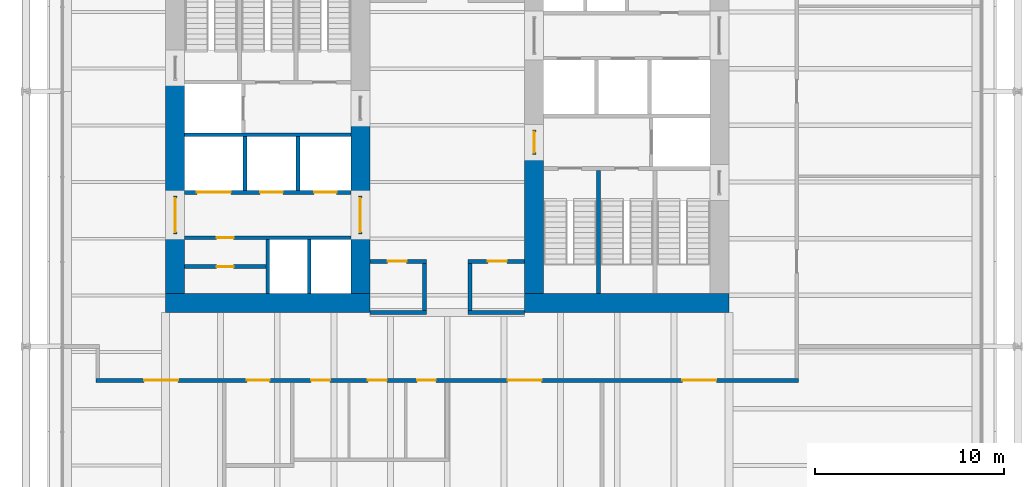
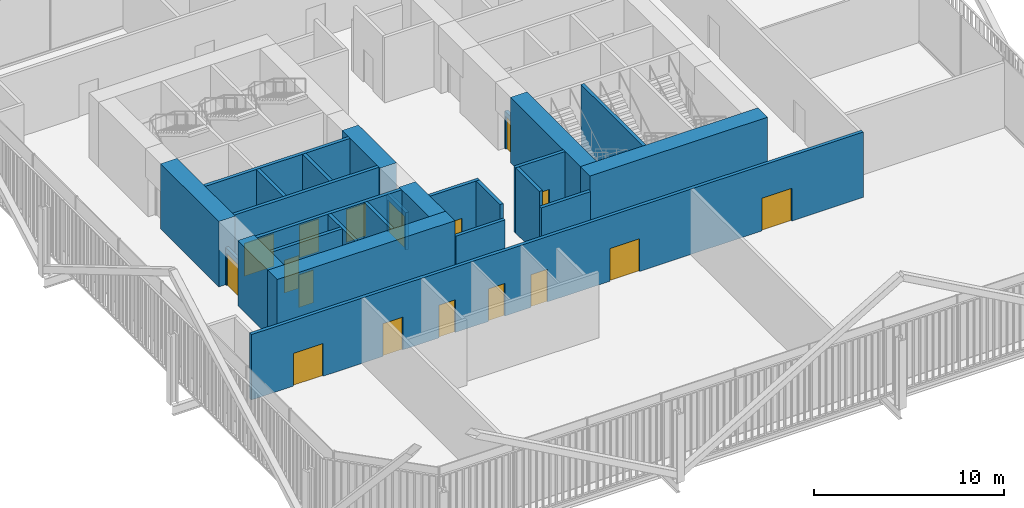
# One storey, part 17 of 21: 26 walls, 17 doors, 17 openings.
"""IFC4 building model written with IfcOpenShell, lengths in metres."""

from ifc_helpers import new_model, si_unit, direction, frame, frame_2d, origin, place, context, subcontext, project, spatial, rectangle, extrude, material, layer, layer_set, type_object, element, fill, save


model = new_model("IFC4")

# Units and contexts
model_context = context("Model", 3, precision=1e-05, world=origin(), true_north=direction((0.0, 1.0)))
body_context = subcontext(model_context, "Body", "Model", "MODEL_VIEW")
ifc_project = project(units=[si_unit("LENGTHUNIT", "METRE"), si_unit("AREAUNIT", "SQUARE_METRE"), si_unit("VOLUMEUNIT", "CUBIC_METRE"), si_unit("PLANEANGLEUNIT", "RADIAN"), si_unit("MASSUNIT", "GRAM", prefix="KILO")], contexts=[model_context])

# Site, building, storey
site_placement = place(None, origin())
site = spatial("IfcSite", under=ifc_project, at=site_placement, CompositionType="ELEMENT")
building_placement = place(site_placement, origin())
building = spatial("IfcBuilding", under=site, at=building_placement, Name="Millrace Tower", CompositionType="ELEMENT")
storey_placement = place(building_placement, frame((0.0, 0.0, 95.199951171875)))
storey = spatial("IfcBuildingStorey", under=building, at=storey_placement, Name="L21", CompositionType="ELEMENT", Elevation=95.199951171875)

# Walls
ifc_material_1 = material(Name="Concrete C80", Category="concrete")
ifc_layer_1 = layer(ifc_material_1, 1.0)
ifc_layer_set_1 = layer_set([ifc_layer_1], Name="Concrete C80")
wall_type_1 = type_object("IfcWallType", Name="Core wall 1000 Concrete C80", PredefinedType="SHEAR", material=ifc_layer_set_1)
wall_1_placement = place(storey_placement, frame((-14.89990234375, -9.39990234375, 0.0), z_axis=(0.0, 0.0, 1.0), x_axis=(1.0, 0.0, 0.0)))
element("IfcWall", 1, at=wall_1_placement, inside=storey, type_object=wall_type_1, Name="Core wall W L21", PredefinedType="SHEAR", context=body_context, shape_type="SweptSolid", body=[
    extrude(rectangle(XDim=10.7998046875, YDim=1.0, at=frame_2d((5.39990234375, 0.0))), origin(), (0.0, 0.0, 1.0), 4.199951171875),
])
wall_2_placement = place(storey_placement, frame((-14.39990234375, -8.89990234375, 0.0), z_axis=(0.0, 0.0, 1.0), x_axis=(0.0, 1.0, 0.0)))
element("IfcWall", 2, at=wall_2_placement, inside=storey, type_object=wall_type_1, Name="Core wall W L21", PredefinedType="SHEAR", context=body_context, shape_type="SweptSolid", body=[
    extrude(rectangle(XDim=3.14990234375, YDim=1.0, at=frame_2d((1.574951171875, 0.0))), origin(), (0.0, 0.0, 1.0), 4.199951171875),
])
wall_3_placement = place(storey_placement, frame((-14.39990234375, -3.75, 0.0), z_axis=(0.0, 0.0, 1.0), x_axis=(0.0, 1.0, 0.0)))
element("IfcWall", 3, at=wall_3_placement, inside=storey, type_object=wall_type_1, Name="Core wall W L21", PredefinedType="SHEAR", context=body_context, shape_type="SweptSolid", body=[
    extrude(rectangle(XDim=6.1298828125, YDim=1.0, at=frame_2d((3.06494140625, 0.0))), origin(), (0.0, 0.0, 1.0), 4.199951171875),
])
wall_4_placement = place(storey_placement, frame((-4.60009765625, -8.89990234375, 0.0), z_axis=(0.0, 0.0, 1.0), x_axis=(0.0, 1.0, 0.0)))
element("IfcWall", 4, at=wall_4_placement, inside=storey, type_object=wall_type_1, Name="Core wall W L21", PredefinedType="SHEAR", context=body_context, shape_type="SweptSolid", body=[
    extrude(rectangle(XDim=3.14990234375, YDim=1.0, at=frame_2d((1.574951171875, 0.0))), origin(), (0.0, 0.0, 1.0), 4.199951171875),
])
wall_5_placement = place(storey_placement, frame((-4.60009765625, -3.75, 0.0), z_axis=(0.0, 0.0, 1.0), x_axis=(0.0, 1.0, 0.0)))
element("IfcWall", 5, at=wall_5_placement, inside=storey, type_object=wall_type_1, Name="Core wall W L21", PredefinedType="SHEAR", context=body_context, shape_type="SweptSolid", body=[
    extrude(rectangle(XDim=4.0, YDim=1.0, at=frame_2d((2.0, 0.0))), origin(), (0.0, 0.0, 1.0), 4.199951171875),
])
wall_6_placement = place(storey_placement, frame((14.89990234375, -9.39990234375, 0.0), z_axis=(0.0, 0.0, 1.0), x_axis=(-1.0, 0.0, 0.0)))
element("IfcWall", 6, at=wall_6_placement, inside=storey, type_object=wall_type_1, Name="Core wall E L21", PredefinedType="SHEAR", context=body_context, shape_type="SweptSolid", body=[
    extrude(rectangle(XDim=10.7998046875, YDim=1.0, at=frame_2d((5.39990234375, 0.0))), origin(), (0.0, 0.0, 1.0), 4.199951171875),
])
wall_7_placement = place(storey_placement, frame((4.60009765625, -1.550048828125, 0.0), z_axis=(0.0, 0.0, 1.0), x_axis=(0.0, -1.0, 0.0)))
element("IfcWall", 7, at=wall_7_placement, inside=storey, type_object=wall_type_1, Name="Core wall E L21", PredefinedType="SHEAR", context=body_context, shape_type="SweptSolid", body=[
    extrude(rectangle(XDim=7.349853515625, YDim=1.0, at=frame_2d((3.6748046875, 0.0))), origin(), (0.0, 0.0, 1.0), 4.199951171875),
])

# Wall, openings, doors
ifc_material_2 = material(Name="Masonry partition, fire-rated", Category="masonry")
ifc_layer_2 = layer(ifc_material_2, 0.199951171875)
ifc_layer_set_2 = layer_set([ifc_layer_2], Name="Masonry partition, fire-rated")
wall_type_2 = type_object("IfcWallType", Name="Corridor wall 200", PredefinedType="PARTITIONING", material=ifc_layer_set_2)
wall_8_placement = place(storey_placement, frame((-18.60009765625, -13.5, 0.0), z_axis=(0.0, 0.0, 1.0), x_axis=(1.0, 0.0, 0.0)))
wall_8 = element("IfcWall", 8, at=wall_8_placement, inside=storey, type_object=wall_type_2, Name="Corridor wall L21", PredefinedType="PARTITIONING", context=body_context, shape_type="SweptSolid", body=[
    extrude(rectangle(XDim=37.2001953125, YDim=0.199951171875, at=frame_2d((18.60009765625, 0.0))), origin(), (0.0, 0.0, 1.0), 4.199951171875),
])
opening_1_placement = place(wall_8_placement, frame((2.550048828125, 0.0, 0.0)))
opening_1 = element("IfcOpeningElement", 9, at=opening_1_placement, cuts=wall_8, Name="Opening 21-P005", PredefinedType="OPENING", context=body_context, shape_type="SweptSolid", body=[
    extrude(rectangle(XDim=1.800048828125, YDim=2.10009765625, at=frame_2d((0.89990234375, 1.050048828125))), frame((0.0, 0.10986328125, 0.0), z_axis=(0.0, -1.0, 0.0), x_axis=(1.0, 0.0, 0.0)), (0.0, 0.0, 1.0), 0.219970703125),
])
opening_2_placement = place(wall_8_placement, frame((21.794921875, 0.0, 0.0)))
opening_2 = element("IfcOpeningElement", 10, at=opening_2_placement, cuts=wall_8, Name="Opening 21-P006", PredefinedType="OPENING", context=body_context, shape_type="SweptSolid", body=[
    extrude(rectangle(XDim=1.800048828125, YDim=2.10009765625, at=frame_2d((0.89990234375, 1.050048828125))), frame((0.0, 0.10986328125, 0.0), z_axis=(0.0, -1.0, 0.0), x_axis=(1.0, 0.0, 0.0)), (0.0, 0.0, 1.0), 0.219970703125),
])
opening_3_placement = place(wall_8_placement, frame((31.044921875, 0.0, 0.0)))
opening_3 = element("IfcOpeningElement", 11, at=opening_3_placement, cuts=wall_8, Name="Opening 21-P007", PredefinedType="OPENING", context=body_context, shape_type="SweptSolid", body=[
    extrude(rectangle(XDim=1.800048828125, YDim=2.10009765625, at=frame_2d((0.89990234375, 1.050048828125))), frame((0.0, 0.10986328125, 0.0), z_axis=(0.0, -1.0, 0.0), x_axis=(1.0, 0.0, 0.0)), (0.0, 0.0, 1.0), 0.219970703125),
])
opening_4_placement = place(wall_8_placement, frame((8.0, 0.0, 0.0)))
opening_4 = element("IfcOpeningElement", 12, at=opening_4_placement, cuts=wall_8, Name="Opening 21-P008", PredefinedType="OPENING", context=body_context, shape_type="SweptSolid", body=[
    extrude(rectangle(XDim=1.199951171875, YDim=2.10009765625, at=frame_2d((0.60009765625, 1.050048828125))), frame((0.0, 0.10986328125, 0.0), z_axis=(0.0, -1.0, 0.0), x_axis=(1.0, 0.0, 0.0)), (0.0, 0.0, 1.0), 0.219970703125),
])
opening_5_placement = place(wall_8_placement, frame((11.39990234375, 0.0, 0.0)))
opening_5 = element("IfcOpeningElement", 13, at=opening_5_placement, cuts=wall_8, Name="Opening 21-P016", PredefinedType="OPENING", context=body_context, shape_type="SweptSolid", body=[
    extrude(rectangle(XDim=1.0, YDim=2.10009765625, at=frame_2d((0.5, 1.050048828125))), frame((0.0, 0.10986328125, 0.0), z_axis=(0.0, -1.0, 0.0), x_axis=(1.0, 0.0, 0.0)), (0.0, 0.0, 1.0), 0.219970703125),
])
opening_6_placement = place(wall_8_placement, frame((14.39990234375, 0.0, 0.0)))
opening_6 = element("IfcOpeningElement", 14, at=opening_6_placement, cuts=wall_8, Name="Opening 21-P017", PredefinedType="OPENING", context=body_context, shape_type="SweptSolid", body=[
    extrude(rectangle(XDim=1.0, YDim=2.10009765625, at=frame_2d((0.5, 1.050048828125))), frame((0.0, 0.10986328125, 0.0), z_axis=(0.0, -1.0, 0.0), x_axis=(1.0, 0.0, 0.0)), (0.0, 0.0, 1.0), 0.219970703125),
])
opening_7_placement = place(wall_8_placement, frame((17.0, 0.0, 0.0)))
opening_7 = element("IfcOpeningElement", 15, at=opening_7_placement, cuts=wall_8, Name="Opening 21-P018", PredefinedType="OPENING", context=body_context, shape_type="SweptSolid", body=[
    extrude(rectangle(XDim=1.0, YDim=2.10009765625, at=frame_2d((0.5, 1.050048828125))), frame((0.0, 0.10986328125, 0.0), z_axis=(0.0, -1.0, 0.0), x_axis=(1.0, 0.0, 0.0)), (0.0, 0.0, 1.0), 0.219970703125),
])
ifc_material_3 = material(Name="Steel door set, fire-rated", Category="steel")
door_type_1 = type_object("IfcDoorType", Name="Corridor door 1000 x 2100", OperationType="SINGLE_SWING_LEFT", PredefinedType="DOOR", material=ifc_material_3)
door_1_placement = place(opening_5_placement, frame((1.0, 0.0, 0.0), z_axis=(0.0, 0.0, 1.0), x_axis=(-1.0, 0.0, 0.0)))
door_1 = element("IfcDoor", 16, at=door_1_placement, inside=storey, type_object=door_type_1, Name="Door 21-P016", OperationType="SINGLE_SWING_RIGHT", OverallHeight=2.10009765625, OverallWidth=1.0, PredefinedType="DOOR", context=body_context, shape_type="SweptSolid", body=[
    extrude(rectangle(XDim=1.0, YDim=2.10009765625, at=frame_2d((0.5, 1.050048828125))), frame((0.0, 0.02490234375, 0.0), z_axis=(0.0, -1.0, 0.0), x_axis=(1.0, 0.0, 0.0)), (0.0, 0.0, 1.0), 0.050048828125),
])
fill(opening_5, door_1)
door_2_placement = place(opening_6_placement, frame((1.0, 0.0, 0.0), z_axis=(0.0, 0.0, 1.0), x_axis=(-1.0, 0.0, 0.0)))
door_2 = element("IfcDoor", 17, at=door_2_placement, inside=storey, type_object=door_type_1, Name="Door 21-P017", OperationType="SINGLE_SWING_RIGHT", OverallHeight=2.10009765625, OverallWidth=1.0, PredefinedType="DOOR", context=body_context, shape_type="SweptSolid", body=[
    extrude(rectangle(XDim=1.0, YDim=2.10009765625, at=frame_2d((0.5, 1.050048828125))), frame((0.0, 0.02490234375, 0.0), z_axis=(0.0, -1.0, 0.0), x_axis=(1.0, 0.0, 0.0)), (0.0, 0.0, 1.0), 0.050048828125),
])
fill(opening_6, door_2)
door_3_placement = place(opening_7_placement, frame((1.0, 0.0, 0.0), z_axis=(0.0, 0.0, 1.0), x_axis=(-1.0, 0.0, 0.0)))
door_3 = element("IfcDoor", 18, at=door_3_placement, inside=storey, type_object=door_type_1, Name="Door 21-P018", OperationType="SINGLE_SWING_RIGHT", OverallHeight=2.10009765625, OverallWidth=1.0, PredefinedType="DOOR", context=body_context, shape_type="SweptSolid", body=[
    extrude(rectangle(XDim=1.0, YDim=2.10009765625, at=frame_2d((0.5, 1.050048828125))), frame((0.0, 0.02490234375, 0.0), z_axis=(0.0, -1.0, 0.0), x_axis=(1.0, 0.0, 0.0)), (0.0, 0.0, 1.0), 0.050048828125),
])
fill(opening_7, door_3)
ifc_material_4 = material(Name="Steel door set, fire-rated", Category="steel")
door_type_2 = type_object("IfcDoorType", Name="Data hall door 1200 x 2100", OperationType="SINGLE_SWING_LEFT", PredefinedType="DOOR", material=ifc_material_4)
door_4_placement = place(opening_4_placement, frame((1.199951171875, 0.0, 0.0), z_axis=(0.0, 0.0, 1.0), x_axis=(-1.0, 0.0, 0.0)))
door_4 = element("IfcDoor", 19, at=door_4_placement, inside=storey, type_object=door_type_2, Name="Door 21-P008", OperationType="SINGLE_SWING_RIGHT", OverallHeight=2.10009765625, OverallWidth=1.199951171875, PredefinedType="DOOR", context=body_context, shape_type="SweptSolid", body=[
    extrude(rectangle(XDim=1.199951171875, YDim=2.10009765625, at=frame_2d((0.60009765625, 1.050048828125))), frame((0.0, 0.02490234375, 0.0), z_axis=(0.0, -1.0, 0.0), x_axis=(1.0, 0.0, 0.0)), (0.0, 0.0, 1.0), 0.050048828125),
])
fill(opening_4, door_4)
ifc_material_5 = material(Name="Steel door set, fire-rated", Category="steel")
door_type_3 = type_object("IfcDoorType", Name="Data hall door 1800 x 2100", OperationType="DOUBLE_DOOR_SINGLE_SWING", PredefinedType="DOOR", material=ifc_material_5)
door_5_placement = place(opening_1_placement, frame((1.800048828125, 0.0, 0.0), z_axis=(0.0, 0.0, 1.0), x_axis=(-1.0, 0.0, 0.0)))
door_5 = element("IfcDoor", 20, at=door_5_placement, inside=storey, type_object=door_type_3, Name="Door 21-P005", OperationType="DOUBLE_DOOR_SINGLE_SWING", OverallHeight=2.10009765625, OverallWidth=1.800048828125, PredefinedType="DOOR", context=body_context, shape_type="SweptSolid", body=[
    extrude(rectangle(XDim=1.800048828125, YDim=2.10009765625, at=frame_2d((0.89990234375, 1.050048828125))), frame((0.0, 0.02490234375, 0.0), z_axis=(0.0, -1.0, 0.0), x_axis=(1.0, 0.0, 0.0)), (0.0, 0.0, 1.0), 0.050048828125),
])
fill(opening_1, door_5)
door_6_placement = place(opening_2_placement, frame((1.800048828125, 0.0, 0.0), z_axis=(0.0, 0.0, 1.0), x_axis=(-1.0, 0.0, 0.0)))
door_6 = element("IfcDoor", 21, at=door_6_placement, inside=storey, type_object=door_type_3, Name="Door 21-P006", OperationType="DOUBLE_DOOR_SINGLE_SWING", OverallHeight=2.10009765625, OverallWidth=1.800048828125, PredefinedType="DOOR", context=body_context, shape_type="SweptSolid", body=[
    extrude(rectangle(XDim=1.800048828125, YDim=2.10009765625, at=frame_2d((0.89990234375, 1.050048828125))), frame((0.0, 0.02490234375, 0.0), z_axis=(0.0, -1.0, 0.0), x_axis=(1.0, 0.0, 0.0)), (0.0, 0.0, 1.0), 0.050048828125),
])
fill(opening_2, door_6)
door_7_placement = place(opening_3_placement, frame((1.800048828125, 0.0, 0.0), z_axis=(0.0, 0.0, 1.0), x_axis=(-1.0, 0.0, 0.0)))
door_7 = element("IfcDoor", 22, at=door_7_placement, inside=storey, type_object=door_type_3, Name="Door 21-P007", OperationType="DOUBLE_DOOR_SINGLE_SWING", OverallHeight=2.10009765625, OverallWidth=1.800048828125, PredefinedType="DOOR", context=body_context, shape_type="SweptSolid", body=[
    extrude(rectangle(XDim=1.800048828125, YDim=2.10009765625, at=frame_2d((0.89990234375, 1.050048828125))), frame((0.0, 0.02490234375, 0.0), z_axis=(0.0, -1.0, 0.0), x_axis=(1.0, 0.0, 0.0)), (0.0, 0.0, 1.0), 0.050048828125),
])
fill(opening_3, door_7)

# Walls
for number, where, z_axis, x_axis, name in (
    (23, (-4.10009765625, -9.89990234375, 0.0), (0.0, 0.0, 1.0), (1.0, 0.0, 0.0), "Corridor wall L21"),
    (24, (1.10009765625, -9.89990234375, 0.0), (0.0, 0.0, 1.0), (1.0, 0.0, 0.0), "Corridor wall L21"),
):
    element("IfcWall", number, at=place(storey_placement, frame(where, z_axis=z_axis, x_axis=x_axis)), inside=storey, type_object=wall_type_2, Name=name, PredefinedType="PARTITIONING", context=body_context, shape_type="SweptSolid", body=[
        extrude(rectangle(XDim=3.0, YDim=0.199951171875, at=frame_2d((1.5, 0.0))), origin(), (0.0, 0.0, 1.0), 3.2626953125),
    ])

# Wall, opening, door
wall_9_placement = place(storey_placement, frame((-4.10009765625, -7.199951171875, 0.0), z_axis=(0.0, 0.0, 1.0), x_axis=(1.0, 0.0, 0.0)))
wall_9 = element("IfcWall", 25, at=wall_9_placement, inside=storey, type_object=wall_type_2, Name="Corridor wall L21", PredefinedType="PARTITIONING", context=body_context, shape_type="SweptSolid", body=[
    extrude(rectangle(XDim=3.0, YDim=0.199951171875, at=frame_2d((1.5, 0.0))), origin(), (0.0, 0.0, 1.0), 4.199951171875),
])
opening_8_placement = place(wall_9_placement, frame((0.949951171875, 0.0, 0.0)))
opening_8 = element("IfcOpeningElement", 26, at=opening_8_placement, cuts=wall_9, Name="Opening 21-P003", PredefinedType="OPENING", context=body_context, shape_type="SweptSolid", body=[
    extrude(rectangle(XDim=1.0, YDim=2.10009765625, at=frame_2d((0.5, 1.050048828125))), frame((0.0, 0.10986328125, 0.0), z_axis=(0.0, -1.0, 0.0), x_axis=(1.0, 0.0, 0.0)), (0.0, 0.0, 1.0), 0.219970703125),
])
door_8_placement = place(opening_8_placement, frame((1.0, 0.0, 0.0), z_axis=(0.0, 0.0, 1.0), x_axis=(-1.0, 0.0, 0.0)))
door_8 = element("IfcDoor", 27, at=door_8_placement, inside=storey, type_object=door_type_1, Name="Door 21-P003", OperationType="SINGLE_SWING_RIGHT", OverallHeight=2.10009765625, OverallWidth=1.0, PredefinedType="DOOR", context=body_context, shape_type="SweptSolid", body=[
    extrude(rectangle(XDim=1.0, YDim=2.10009765625, at=frame_2d((0.5, 1.050048828125))), frame((0.0, 0.02490234375, 0.0), z_axis=(0.0, -1.0, 0.0), x_axis=(1.0, 0.0, 0.0)), (0.0, 0.0, 1.0), 0.050048828125),
])
fill(opening_8, door_8)

wall_10_placement = place(storey_placement, frame((1.10009765625, -7.199951171875, 0.0), z_axis=(0.0, 0.0, 1.0), x_axis=(1.0, 0.0, 0.0)))
wall_10 = element("IfcWall", 28, at=wall_10_placement, inside=storey, type_object=wall_type_2, Name="Corridor wall L21", PredefinedType="PARTITIONING", context=body_context, shape_type="SweptSolid", body=[
    extrude(rectangle(XDim=3.0, YDim=0.199951171875, at=frame_2d((1.5, 0.0))), origin(), (0.0, 0.0, 1.0), 4.199951171875),
])
opening_9_placement = place(wall_10_placement, frame((1.050048828125, 0.0, 0.0)))
opening_9 = element("IfcOpeningElement", 29, at=opening_9_placement, cuts=wall_10, Name="Opening 21-P004", PredefinedType="OPENING", context=body_context, shape_type="SweptSolid", body=[
    extrude(rectangle(XDim=1.0, YDim=2.10009765625, at=frame_2d((0.5, 1.050048828125))), frame((0.0, 0.10986328125, 0.0), z_axis=(0.0, -1.0, 0.0), x_axis=(1.0, 0.0, 0.0)), (0.0, 0.0, 1.0), 0.219970703125),
])
door_9_placement = place(opening_9_placement, frame((1.0, 0.0, 0.0), z_axis=(0.0, 0.0, 1.0), x_axis=(-1.0, 0.0, 0.0)))
door_9 = element("IfcDoor", 30, at=door_9_placement, inside=storey, type_object=door_type_1, Name="Door 21-P004", OperationType="SINGLE_SWING_RIGHT", OverallHeight=2.10009765625, OverallWidth=1.0, PredefinedType="DOOR", context=body_context, shape_type="SweptSolid", body=[
    extrude(rectangle(XDim=1.0, YDim=2.10009765625, at=frame_2d((0.5, 1.050048828125))), frame((0.0, 0.02490234375, 0.0), z_axis=(0.0, -1.0, 0.0), x_axis=(1.0, 0.0, 0.0)), (0.0, 0.0, 1.0), 0.050048828125),
])
fill(opening_9, door_9)

# Walls
for number, where, z_axis, x_axis, name in (
    (31, (1.199951171875, -9.800048828125, 0.0), (0.0, 0.0, 1.0), (0.0, 1.0, 0.0), "Corridor wall L21"),
    (32, (-1.199951171875, -9.800048828125, 0.0), (0.0, 0.0, 1.0), (0.0, 1.0, 0.0), "Corridor wall L21"),
):
    element("IfcWall", number, at=place(storey_placement, frame(where, z_axis=z_axis, x_axis=x_axis)), inside=storey, type_object=wall_type_2, Name=name, PredefinedType="PARTITIONING", context=body_context, shape_type="SweptSolid", body=[
        extrude(rectangle(XDim=2.5, YDim=0.199951171875, at=frame_2d((1.25, 0.0))), origin(), (0.0, 0.0, 1.0), 4.199951171875),
    ])

# Wall, opening, door
ifc_material_6 = material(Name="Masonry partition, fire-rated", Category="masonry")
ifc_layer_3 = layer(ifc_material_6, 0.199951171875)
ifc_layer_set_3 = layer_set([ifc_layer_3], Name="Masonry partition, fire-rated")
wall_type_3 = type_object("IfcWallType", Name="Lift shaft wall 200", PredefinedType="PARTITIONING", material=ifc_layer_set_3)
wall_11_placement = place(storey_placement, frame((-13.89990234375, -5.949951171875, 0.0), z_axis=(0.0, 0.0, 1.0), x_axis=(1.0, 0.0, 0.0)))
wall_11 = element("IfcWall", 33, at=wall_11_placement, inside=storey, type_object=wall_type_3, Name="Lift shaft wall W L21", PredefinedType="PARTITIONING", context=body_context, shape_type="SweptSolid", body=[
    extrude(rectangle(XDim=8.7998046875, YDim=0.199951171875, at=frame_2d((4.39990234375, 0.0))), origin(), (0.0, 0.0, 1.0), 4.199951171875),
])
opening_10_placement = place(wall_11_placement, frame((1.699951171875, 0.0, 0.0)))
opening_10 = element("IfcOpeningElement", 34, at=opening_10_placement, cuts=wall_11, Name="Opening 21-C005", PredefinedType="OPENING", context=body_context, shape_type="SweptSolid", body=[
    extrude(rectangle(XDim=0.89990234375, YDim=2.10009765625, at=frame_2d((0.449951171875, 1.050048828125))), frame((0.0, 0.10986328125, 0.0), z_axis=(0.0, -1.0, 0.0), x_axis=(1.0, 0.0, 0.0)), (0.0, 0.0, 1.0), 0.219970703125),
])
ifc_material_7 = material(Name="Steel door, fire-rated", Category="steel")
door_type_4 = type_object("IfcDoorType", Name="Service room door 900 x 2100", OperationType="SINGLE_SWING_LEFT", PredefinedType="DOOR", material=ifc_material_7)
door_10_placement = place(opening_10_placement, origin())
door_10 = element("IfcDoor", 35, at=door_10_placement, inside=storey, type_object=door_type_4, Name="Service room door 21-C005", OperationType="SINGLE_SWING_LEFT", OverallHeight=2.10009765625, OverallWidth=0.89990234375, PredefinedType="DOOR", context=body_context, shape_type="SweptSolid", body=[
    extrude(rectangle(XDim=0.89990234375, YDim=2.10009765625, at=frame_2d((0.449951171875, 1.050048828125))), frame((0.0, 0.02490234375, 0.0), z_axis=(0.0, -1.0, 0.0), x_axis=(1.0, 0.0, 0.0)), (0.0, 0.0, 1.0), 0.050048828125),
])
fill(opening_10, door_10)

# Wall, openings, doors
wall_12_placement = place(storey_placement, frame((-13.89990234375, -3.550048828125, 0.0), z_axis=(0.0, 0.0, 1.0), x_axis=(1.0, 0.0, 0.0)))
wall_12 = element("IfcWall", 36, at=wall_12_placement, inside=storey, type_object=wall_type_3, Name="Lift shaft wall W L21", PredefinedType="PARTITIONING", context=body_context, shape_type="SweptSolid", body=[
    extrude(rectangle(XDim=8.7998046875, YDim=0.199951171875, at=frame_2d((4.39990234375, 0.0))), origin(), (0.0, 0.0, 1.0), 4.199951171875),
])
opening_11_placement = place(wall_12_placement, frame((0.64990234375, 0.0, 0.0)))
opening_11 = element("IfcOpeningElement", 37, at=opening_11_placement, cuts=wall_12, Name="Opening 21-LD05", PredefinedType="OPENING", context=body_context, shape_type="SweptSolid", body=[
    extrude(rectangle(XDim=1.800048828125, YDim=2.10009765625, at=frame_2d((0.89990234375, 1.050048828125))), frame((0.0, 0.10986328125, 0.0), z_axis=(0.0, -1.0, 0.0), x_axis=(1.0, 0.0, 0.0)), (0.0, 0.0, 1.0), 0.219970703125),
])
opening_12_placement = place(wall_12_placement, frame((4.0, 0.0, 0.0)))
opening_12 = element("IfcOpeningElement", 38, at=opening_12_placement, cuts=wall_12, Name="Opening 21-LD06", PredefinedType="OPENING", context=body_context, shape_type="SweptSolid", body=[
    extrude(rectangle(XDim=1.199951171875, YDim=2.10009765625, at=frame_2d((0.60009765625, 1.050048828125))), frame((0.0, 0.10986328125, 0.0), z_axis=(0.0, -1.0, 0.0), x_axis=(1.0, 0.0, 0.0)), (0.0, 0.0, 1.0), 0.219970703125),
])
opening_13_placement = place(wall_12_placement, frame((6.85009765625, 0.0, 0.0)))
opening_13 = element("IfcOpeningElement", 39, at=opening_13_placement, cuts=wall_12, Name="Opening 21-LD07", PredefinedType="OPENING", context=body_context, shape_type="SweptSolid", body=[
    extrude(rectangle(XDim=1.199951171875, YDim=2.10009765625, at=frame_2d((0.60009765625, 1.050048828125))), frame((0.0, 0.10986328125, 0.0), z_axis=(0.0, -1.0, 0.0), x_axis=(1.0, 0.0, 0.0)), (0.0, 0.0, 1.0), 0.219970703125),
])
ifc_material_8 = material(Name="Stainless steel, fire-rated", Category="steel")
door_type_5 = type_object("IfcDoorType", Name="Lift landing door 1200 x 2100", OperationType="DOUBLE_DOOR_SLIDING", PredefinedType="DOOR", material=ifc_material_8)
door_11_placement = place(opening_12_placement, origin())
door_11 = element("IfcDoor", 40, at=door_11_placement, inside=storey, type_object=door_type_5, Name="Lift landing door LF6 L21", OperationType="DOUBLE_DOOR_SLIDING", OverallHeight=2.10009765625, OverallWidth=1.199951171875, PredefinedType="DOOR", context=body_context, shape_type="SweptSolid", body=[
    extrude(rectangle(XDim=1.199951171875, YDim=2.10009765625, at=frame_2d((0.60009765625, 1.050048828125))), frame((0.0, 0.02490234375, 0.0), z_axis=(0.0, -1.0, 0.0), x_axis=(1.0, 0.0, 0.0)), (0.0, 0.0, 1.0), 0.050048828125),
])
fill(opening_12, door_11)
door_12_placement = place(opening_13_placement, origin())
door_12 = element("IfcDoor", 41, at=door_12_placement, inside=storey, type_object=door_type_5, Name="Lift landing door LF7 L21", OperationType="DOUBLE_DOOR_SLIDING", OverallHeight=2.10009765625, OverallWidth=1.199951171875, PredefinedType="DOOR", context=body_context, shape_type="SweptSolid", body=[
    extrude(rectangle(XDim=1.199951171875, YDim=2.10009765625, at=frame_2d((0.60009765625, 1.050048828125))), frame((0.0, 0.02490234375, 0.0), z_axis=(0.0, -1.0, 0.0), x_axis=(1.0, 0.0, 0.0)), (0.0, 0.0, 1.0), 0.050048828125),
])
fill(opening_13, door_12)
ifc_material_9 = material(Name="Stainless steel, fire-rated", Category="steel")
door_type_6 = type_object("IfcDoorType", Name="Lift landing door 1800 x 2100", OperationType="DOUBLE_DOOR_SLIDING", PredefinedType="DOOR", material=ifc_material_9)
door_13_placement = place(opening_11_placement, origin())
door_13 = element("IfcDoor", 42, at=door_13_placement, inside=storey, type_object=door_type_6, Name="Lift landing door LF5 L21", OperationType="DOUBLE_DOOR_SLIDING", OverallHeight=2.10009765625, OverallWidth=1.800048828125, PredefinedType="DOOR", context=body_context, shape_type="SweptSolid", body=[
    extrude(rectangle(XDim=1.800048828125, YDim=2.10009765625, at=frame_2d((0.89990234375, 1.050048828125))), frame((0.0, 0.02490234375, 0.0), z_axis=(0.0, -1.0, 0.0), x_axis=(1.0, 0.0, 0.0)), (0.0, 0.0, 1.0), 0.050048828125),
])
fill(opening_11, door_13)

# Walls
wall_13_placement = place(storey_placement, frame((-13.89990234375, -0.5, 0.0), z_axis=(0.0, 0.0, 1.0), x_axis=(1.0, 0.0, 0.0)))
element("IfcWall", 43, at=wall_13_placement, inside=storey, type_object=wall_type_3, Name="Lift shaft wall W L21", PredefinedType="PARTITIONING", context=body_context, shape_type="SweptSolid", body=[
    extrude(rectangle(XDim=8.7998046875, YDim=0.199951171875, at=frame_2d((4.39990234375, 0.0))), origin(), (0.0, 0.0, 1.0), 4.199951171875),
])
for number, where, z_axis, x_axis, name in (
    (44, (-9.5, -8.89990234375, 0.0), (0.0, 0.0, 1.0), (0.0, 1.0, 0.0), "Lift shaft wall W L21"),
    (45, (-7.300048828125, -8.89990234375, 0.0), (0.0, 0.0, 1.0), (0.0, 1.0, 0.0), "Lift shaft wall W L21"),
    (46, (-10.699951171875, -3.449951171875, 0.0), (0.0, 0.0, 1.0), (0.0, 1.0, 0.0), "Lift shaft wall W L21"),
    (47, (-7.89990234375, -3.449951171875, 0.0), (0.0, 0.0, 1.0), (0.0, 1.0, 0.0), "Lift shaft wall W L21"),
):
    element("IfcWall", number, at=place(storey_placement, frame(where, z_axis=z_axis, x_axis=x_axis)), inside=storey, type_object=wall_type_3, Name=name, PredefinedType="PARTITIONING", context=body_context, shape_type="SweptSolid", body=[
        extrude(rectangle(XDim=2.849853515625, YDim=0.199951171875, at=frame_2d((1.4248046875, 0.0))), origin(), (0.0, 0.0, 1.0), 4.199951171875),
    ])

# Wall, opening, door
ifc_material_10 = material(Name="Masonry partition, fire-rated", Category="masonry")
ifc_layer_4 = layer(ifc_material_10, 0.199951171875)
ifc_layer_set_4 = layer_set([ifc_layer_4], Name="Masonry partition, fire-rated")
wall_type_4 = type_object("IfcWallType", Name="Lobby wall 200", PredefinedType="PARTITIONING", material=ifc_layer_set_4)
wall_14_placement = place(storey_placement, frame((-14.39990234375, -5.75, 0.0), z_axis=(0.0, 0.0, 1.0), x_axis=(0.0, 1.0, 0.0)))
wall_14 = element("IfcWall", 48, at=wall_14_placement, inside=storey, type_object=wall_type_4, Name="Lobby wall W L21", PredefinedType="PARTITIONING", context=body_context, shape_type="SweptSolid", body=[
    extrude(rectangle(XDim=2.0, YDim=0.199951171875, at=frame_2d((1.0, 0.0))), origin(), (0.0, 0.0, 1.0), 2.400146484375),
])
opening_14_placement = place(wall_14_placement, frame((0.10009765625, 0.0, 0.0)))
opening_14 = element("IfcOpeningElement", 49, at=opening_14_placement, cuts=wall_14, Name="Opening 21-C001", PredefinedType="OPENING", context=body_context, shape_type="SweptSolid", body=[
    extrude(rectangle(XDim=1.800048828125, YDim=2.10009765625, at=frame_2d((0.89990234375, 1.050048828125))), frame((0.0, 0.10986328125, 0.0), z_axis=(0.0, -1.0, 0.0), x_axis=(1.0, 0.0, 0.0)), (0.0, 0.0, 1.0), 0.219970703125),
])
ifc_material_11 = material(Name="Steel door, fire-rated", Category="steel")
door_type_7 = type_object("IfcDoorType", Name="Lobby door 1800 x 2100", OperationType="DOUBLE_DOOR_SINGLE_SWING", PredefinedType="DOOR", material=ifc_material_11)
door_14_placement = place(opening_14_placement, origin())
door_14 = element("IfcDoor", 50, at=door_14_placement, inside=storey, type_object=door_type_7, Name="Lobby door 21-C001", OperationType="DOUBLE_DOOR_SINGLE_SWING", OverallHeight=2.10009765625, OverallWidth=1.800048828125, PredefinedType="DOOR", context=body_context, shape_type="SweptSolid", body=[
    extrude(rectangle(XDim=1.800048828125, YDim=2.10009765625, at=frame_2d((0.89990234375, 1.050048828125))), frame((0.0, 0.02490234375, 0.0), z_axis=(0.0, -1.0, 0.0), x_axis=(1.0, 0.0, 0.0)), (0.0, 0.0, 1.0), 0.050048828125),
])
fill(opening_14, door_14)

wall_15_placement = place(storey_placement, frame((-4.60009765625, -5.75, 0.0), z_axis=(0.0, 0.0, 1.0), x_axis=(0.0, 1.0, 0.0)))
wall_15 = element("IfcWall", 51, at=wall_15_placement, inside=storey, type_object=wall_type_4, Name="Lobby wall W L21", PredefinedType="PARTITIONING", context=body_context, shape_type="SweptSolid", body=[
    extrude(rectangle(XDim=2.0, YDim=0.199951171875, at=frame_2d((1.0, 0.0))), origin(), (0.0, 0.0, 1.0), 2.400146484375),
])
opening_15_placement = place(wall_15_placement, frame((0.10009765625, 0.0, 0.0)))
opening_15 = element("IfcOpeningElement", 52, at=opening_15_placement, cuts=wall_15, Name="Opening 21-C003", PredefinedType="OPENING", context=body_context, shape_type="SweptSolid", body=[
    extrude(rectangle(XDim=1.800048828125, YDim=2.10009765625, at=frame_2d((0.89990234375, 1.050048828125))), frame((0.0, 0.10986328125, 0.0), z_axis=(0.0, -1.0, 0.0), x_axis=(1.0, 0.0, 0.0)), (0.0, 0.0, 1.0), 0.219970703125),
])
door_15_placement = place(opening_15_placement, origin())
door_15 = element("IfcDoor", 53, at=door_15_placement, inside=storey, type_object=door_type_7, Name="Lobby door 21-C003", OperationType="DOUBLE_DOOR_SINGLE_SWING", OverallHeight=2.10009765625, OverallWidth=1.800048828125, PredefinedType="DOOR", context=body_context, shape_type="SweptSolid", body=[
    extrude(rectangle(XDim=1.800048828125, YDim=2.10009765625, at=frame_2d((0.89990234375, 1.050048828125))), frame((0.0, 0.02490234375, 0.0), z_axis=(0.0, -1.0, 0.0), x_axis=(1.0, 0.0, 0.0)), (0.0, 0.0, 1.0), 0.050048828125),
])
fill(opening_15, door_15)

wall_16_placement = place(storey_placement, frame((4.60009765625, -0.25, 0.0), z_axis=(0.0, 0.0, 1.0), x_axis=(0.0, -1.0, 0.0)))
wall_16 = element("IfcWall", 54, at=wall_16_placement, inside=storey, type_object=wall_type_4, Name="Lobby wall E L21", PredefinedType="PARTITIONING", context=body_context, shape_type="SweptSolid", body=[
    extrude(rectangle(XDim=1.300048828125, YDim=0.199951171875, at=frame_2d((0.64990234375, 0.0))), origin(), (0.0, 0.0, 1.0), 2.400146484375),
])
opening_16_placement = place(wall_16_placement, frame((0.10009765625, 0.0, 0.0)))
opening_16 = element("IfcOpeningElement", 55, at=opening_16_placement, cuts=wall_16, Name="Opening 21-C012", PredefinedType="OPENING", context=body_context, shape_type="SweptSolid", body=[
    extrude(rectangle(XDim=1.10009765625, YDim=2.10009765625, at=frame_2d((0.550048828125, 1.050048828125))), frame((0.0, 0.10986328125, 0.0), z_axis=(0.0, -1.0, 0.0), x_axis=(1.0, 0.0, 0.0)), (0.0, 0.0, 1.0), 0.219970703125),
])
ifc_material_12 = material(Name="Steel door, fire-rated", Category="steel")
door_type_8 = type_object("IfcDoorType", Name="Lobby door 1100 x 2100", OperationType="SINGLE_SWING_LEFT", PredefinedType="DOOR", material=ifc_material_12)
door_16_placement = place(opening_16_placement, origin())
door_16 = element("IfcDoor", 56, at=door_16_placement, inside=storey, type_object=door_type_8, Name="Lobby door 21-C012", OperationType="SINGLE_SWING_LEFT", OverallHeight=2.10009765625, OverallWidth=1.10009765625, PredefinedType="DOOR", context=body_context, shape_type="SweptSolid", body=[
    extrude(rectangle(XDim=1.10009765625, YDim=2.10009765625, at=frame_2d((0.550048828125, 1.050048828125))), frame((0.0, 0.02490234375, 0.0), z_axis=(0.0, -1.0, 0.0), x_axis=(1.0, 0.0, 0.0)), (0.0, 0.0, 1.0), 0.050048828125),
])
fill(opening_16, door_16)

ifc_material_13 = material(Name="Masonry partition, fire-rated", Category="masonry")
ifc_layer_5 = layer(ifc_material_13, 0.199951171875)
ifc_layer_set_5 = layer_set([ifc_layer_5], Name="Masonry partition, fire-rated")
wall_type_5 = type_object("IfcWallType", Name="Room partition 200", PredefinedType="PARTITIONING", material=ifc_layer_set_5)
wall_17_placement = place(storey_placement, frame((-13.89990234375, -7.47509765625, 0.0), z_axis=(0.0, 0.0, 1.0), x_axis=(1.0, 0.0, 0.0)))
wall_17 = element("IfcWall", 57, at=wall_17_placement, inside=storey, type_object=wall_type_5, Name="Room partition W L21", PredefinedType="PARTITIONING", context=body_context, shape_type="SweptSolid", body=[
    extrude(rectangle(XDim=4.2998046875, YDim=0.199951171875, at=frame_2d((2.14990234375, 0.0))), origin(), (0.0, 0.0, 1.0), 4.199951171875),
])
opening_17_placement = place(wall_17_placement, frame((1.699951171875, 0.0, 0.0)))
opening_17 = element("IfcOpeningElement", 58, at=opening_17_placement, cuts=wall_17, Name="Opening 21-C006", PredefinedType="OPENING", context=body_context, shape_type="SweptSolid", body=[
    extrude(rectangle(XDim=0.89990234375, YDim=2.10009765625, at=frame_2d((0.449951171875, 1.050048828125))), frame((0.0, 0.10986328125, 0.0), z_axis=(0.0, -1.0, 0.0), x_axis=(1.0, 0.0, 0.0)), (0.0, 0.0, 1.0), 0.219970703125),
])
door_17_placement = place(opening_17_placement, frame((0.89990234375, 0.0, 0.0), z_axis=(0.0, 0.0, 1.0), x_axis=(-1.0, 0.0, 0.0)))
door_17 = element("IfcDoor", 59, at=door_17_placement, inside=storey, type_object=door_type_4, Name="Service room door 21-C006", OperationType="SINGLE_SWING_RIGHT", OverallHeight=2.10009765625, OverallWidth=0.89990234375, PredefinedType="DOOR", context=body_context, shape_type="SweptSolid", body=[
    extrude(rectangle(XDim=0.89990234375, YDim=2.10009765625, at=frame_2d((0.449951171875, 1.050048828125))), frame((0.0, 0.02490234375, 0.0), z_axis=(0.0, -1.0, 0.0), x_axis=(1.0, 0.0, 0.0)), (0.0, 0.0, 1.0), 0.050048828125),
])
fill(opening_17, door_17)

# Wall
ifc_material_14 = material(Name="Concrete C40", Category="concrete")
ifc_layer_6 = layer(ifc_material_14, 0.199951171875)
ifc_layer_set_6 = layer_set([ifc_layer_6], Name="Concrete C40")
wall_type_6 = type_object("IfcWallType", Name="Stair enclosure wall 200 Concrete C40", PredefinedType="SHEAR", material=ifc_layer_set_6)
wall_18_placement = place(storey_placement, frame((8.0, -2.3798828125, 0.0), z_axis=(0.0, 0.0, 1.0), x_axis=(0.0, -1.0, 0.0)))
element("IfcWall", 60, at=wall_18_placement, inside=storey, type_object=wall_type_6, Name="Stair enclosure wall E L21", PredefinedType="SHEAR", context=body_context, shape_type="SweptSolid", body=[
    extrude(rectangle(XDim=6.52001953125, YDim=0.199951171875, at=frame_2d((3.260009765625, 0.0))), origin(), (0.0, 0.0, 1.0), 4.199951171875),
])

save(model, "model.ifc")
